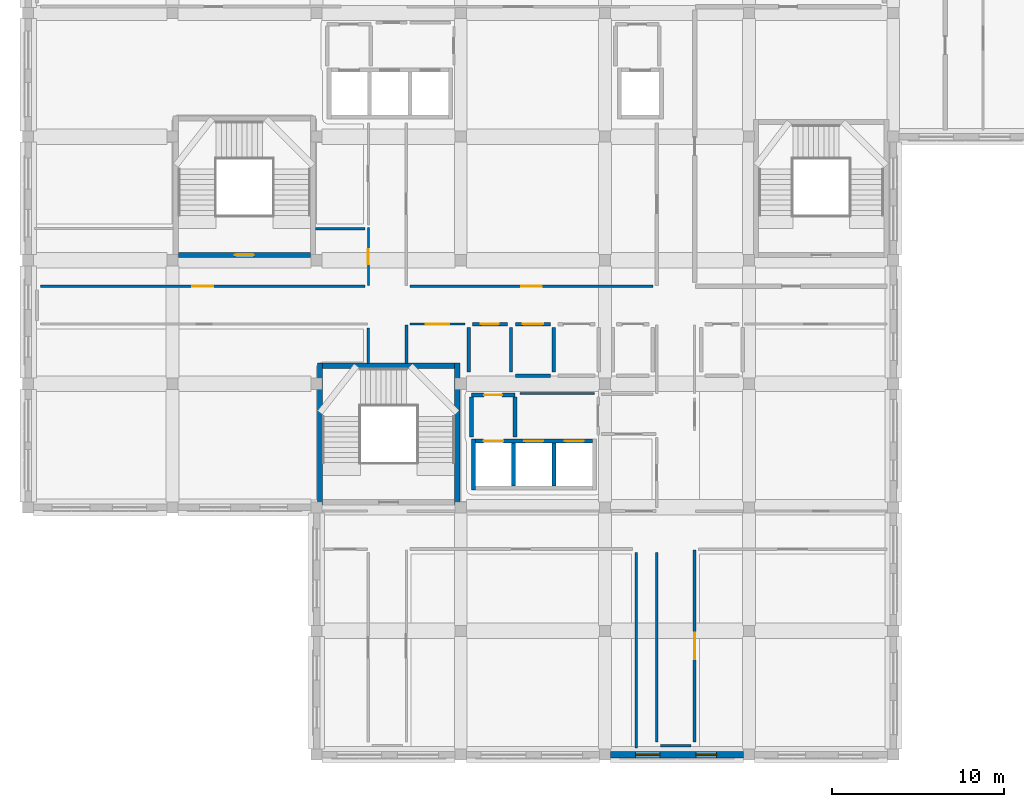
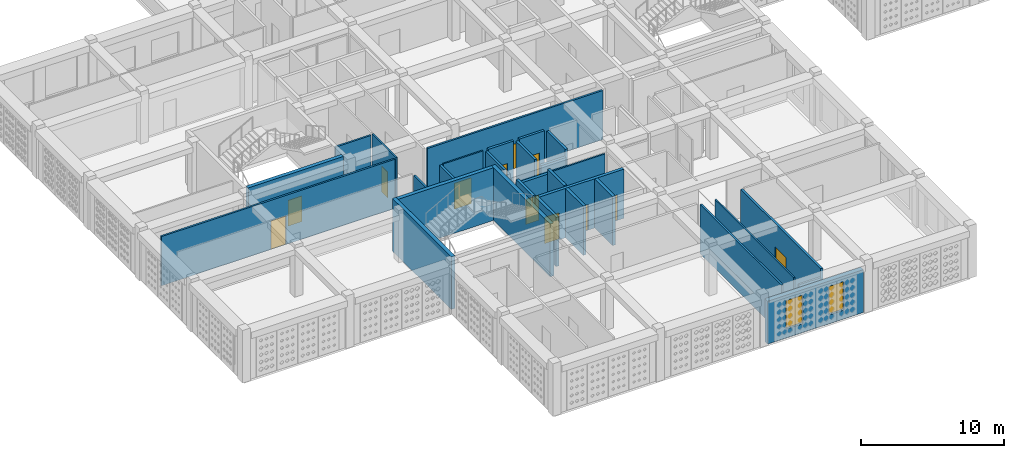
# One storey, part 5 of 47: 30 walls, 12 doors, 2 windows, 14 openings.
"""IFC4 building model written with IfcOpenShell, lengths in metres."""

from ifc_helpers import new_model, si_unit, derived_unit, direction, frame, frame_2d, origin, place, context, subcontext, project, spatial, rectangle, extrude, material, layer, layer_set, type_object, element, fill, save


model = new_model("IFC4")

# Units and contexts
model_context = context("Model", 3, precision=1e-05, world=origin(), true_north=direction((0.0, 1.0)))
body_context = subcontext(model_context, "Body", "Model", "MODEL_VIEW")
ifc_project = project(units=[si_unit("LENGTHUNIT", "METRE"), si_unit("AREAUNIT", "SQUARE_METRE"), si_unit("VOLUMEUNIT", "CUBIC_METRE"), si_unit("PLANEANGLEUNIT", "RADIAN"), si_unit("MASSUNIT", "GRAM", prefix="KILO"), derived_unit("THERMALTRANSMITTANCEUNIT", [(si_unit("POWERUNIT", "WATT"), 1), (si_unit("LENGTHUNIT", "METRE"), -2), (si_unit("THERMODYNAMICTEMPERATUREUNIT", "KELVIN"), -1)])], contexts=[model_context])

# Site, building, storey
site_placement = place(None, origin())
site = spatial("IfcSite", under=ifc_project, at=site_placement, CompositionType="ELEMENT")
building_placement = place(site_placement, origin())
building = spatial("IfcBuilding", under=site, at=building_placement, Name="Veybourne Emporium", CompositionType="ELEMENT")
storey_placement = place(building_placement, frame((0.0, 0.0, 23.39990234375)))
storey = spatial("IfcBuildingStorey", under=building, at=storey_placement, Name="L05", CompositionType="ELEMENT", Elevation=23.39990234375)

# Wall, openings, windows
ifc_material_1 = material(Name="Portland Limestone Ashlar", Category="masonry")
ifc_layer_1 = layer(ifc_material_1, 0.3798828125)
ifc_layer_set_1 = layer_set([ifc_layer_1], Name="Portland Limestone Ashlar")
wall_type_1 = type_object("IfcWallType", Name="ExtWall_EW-03", PredefinedType="SOLIDWALL", material=ifc_layer_set_1)
wall_1_placement = place(storey_placement, frame((41.675048828125, 0.0, 0.0), z_axis=(0.0, 0.0, 1.0), x_axis=(-1.0, 0.0, 0.0)))
wall_1 = element("IfcWall", 1, at=wall_1_placement, inside=storey, type_object=wall_type_1, Name="L05 Portland stone external wall 020", PredefinedType="SOLIDWALL", context=body_context, shape_type="SweptSolid", body=[
    extrude(rectangle(XDim=7.75, YDim=0.3798828125, at=frame_2d((3.875, 0.0))), origin(), (0.0, 0.0, 1.0), 3.66015625),
])
opening_1_placement = place(wall_1_placement, frame((1.570068359375, 0.0, 0.75)))
opening_1 = element("IfcOpeningElement", 2, at=opening_1_placement, cuts=wall_1, Name="Opening W-25", PredefinedType="OPENING", context=body_context, shape_type="SweptSolid", body=[
    extrude(rectangle(XDim=1.199951171875, YDim=2.43994140625, at=frame_2d((0.60009765625, 1.219970703125))), frame((0.0, 0.2099609375, 0.0), z_axis=(0.0, -1.0, 0.0), x_axis=(1.0, 0.0, 0.0)), (0.0, 0.0, 1.0), 0.419921875),
])
opening_2_placement = place(wall_1_placement, frame((4.8798828125, 0.0, 0.75)))
opening_2 = element("IfcOpeningElement", 3, at=opening_2_placement, cuts=wall_1, Name="Opening W-26", PredefinedType="OPENING", context=body_context, shape_type="SweptSolid", body=[
    extrude(rectangle(XDim=1.39990234375, YDim=2.43994140625, at=frame_2d((0.699951171875, 1.219970703125))), frame((0.0, 0.2099609375, 0.0), z_axis=(0.0, -1.0, 0.0), x_axis=(1.0, 0.0, 0.0)), (0.0, 0.0, 1.0), 0.419921875),
])
ifc_material_2 = material(Name="Low-E Triple Glazing", Category="glass")
window_type_1 = type_object("IfcWindowType", Name="Win_W-25", PartitioningType="SINGLE_PANEL", PredefinedType="WINDOW", material=ifc_material_2)
window_1_placement = place(opening_1_placement, origin())
window_1 = element("IfcWindow", 4, at=window_1_placement, inside=storey, type_object=window_type_1, Name="L05 tripartite bronze casement window W-25 (20.1)", OverallHeight=2.43994140625, OverallWidth=1.199951171875, PartitioningType="SINGLE_PANEL", PredefinedType="WINDOW", context=body_context, shape_type="SweptSolid", body=[
    extrude(rectangle(XDim=1.199951171875, YDim=2.43994140625, at=frame_2d((0.60009765625, 1.219970703125))), frame((0.0, 0.030029296875, 0.0), z_axis=(0.0, -1.0, 0.0), x_axis=(1.0, 0.0, 0.0)), (0.0, 0.0, 1.0), 0.06005859375),
])
fill(opening_1, window_1)
window_type_2 = type_object("IfcWindowType", Name="Win_W-26", PartitioningType="DOUBLE_PANEL_VERTICAL", PredefinedType="WINDOW", material=ifc_material_2)
window_2_placement = place(opening_2_placement, origin())
window_2 = element("IfcWindow", 5, at=window_2_placement, inside=storey, type_object=window_type_2, Name="L05 tripartite bronze casement window W-26 (20.2)", OverallHeight=2.43994140625, OverallWidth=1.39990234375, PartitioningType="DOUBLE_PANEL_VERTICAL", PredefinedType="WINDOW", context=body_context, shape_type="SweptSolid", body=[
    extrude(rectangle(XDim=1.39990234375, YDim=2.43994140625, at=frame_2d((0.699951171875, 1.219970703125))), frame((0.0, 0.030029296875, 0.0), z_axis=(0.0, -1.0, 0.0), x_axis=(1.0, 0.0, 0.0)), (0.0, 0.0, 1.0), 0.06005859375),
])
fill(opening_2, window_2)

# Walls
ifc_material_3 = material(Name="Concrete C40/50", Category="concrete")
ifc_layer_2 = layer(ifc_material_3, 0.300048828125)
ifc_layer_set_2 = layer_set([ifc_layer_2], Name="Concrete C40/50")
wall_type_2 = type_object("IfcWallType", Name="IntWall_CW-03", PredefinedType="SHEAR", material=ifc_layer_set_2)
wall_2_placement = place(storey_placement, frame((17.14990234375, 22.64990234375, 0.0), z_axis=(0.0, 0.0, 1.0), x_axis=(1.0, 0.0, 0.0)))
element("IfcWall", 6, at=wall_2_placement, inside=storey, type_object=wall_type_2, Name="Core stair ST-01 north shear wall (L05)", PredefinedType="SHEAR", context=body_context, shape_type="SweptSolid", body=[
    extrude(rectangle(XDim=7.7001953125, YDim=0.300048828125, at=frame_2d((3.85009765625, 0.0))), origin(), (0.0, 0.0, 1.0), 4.5),
])
for number, where, z_axis, x_axis, name in (
    (7, (17.0, 22.800048828125, 0.0), (0.0, 0.0, 1.0), (0.0, -1.0, 0.0), "Core stair ST-01 west shear wall (L05)"),
    (8, (25.0, 14.550048828125, 0.0), (0.0, 0.0, 1.0), (0.0, 1.0, 0.0), "Core stair ST-01 east shear wall (L05)"),
):
    element("IfcWall", number, at=place(storey_placement, frame(where, z_axis=z_axis, x_axis=x_axis)), inside=storey, type_object=wall_type_2, Name=name, PredefinedType="SHEAR", context=body_context, shape_type="SweptSolid", body=[
        extrude(rectangle(XDim=8.25, YDim=0.300048828125, at=frame_2d((4.125, 0.0))), origin(), (0.0, 0.0, 1.0), 4.5),
    ])

# Wall, opening, door
wall_3_placement = place(storey_placement, frame((16.449951171875, 29.10009765625, 0.0), z_axis=(0.0, 0.0, 1.0), x_axis=(-1.0, 0.0, 0.0)))
wall_3 = element("IfcWall", 9, at=wall_3_placement, inside=storey, type_object=wall_type_2, Name="Core stair ST-02 south shear wall (L05)", PredefinedType="SHEAR", context=body_context, shape_type="SweptSolid", body=[
    extrude(rectangle(XDim=7.699951171875, YDim=0.300048828125, at=frame_2d((3.85009765625, 0.0))), origin(), (0.0, 0.0, 1.0), 4.5),
])
opening_3_placement = place(wall_3_placement, frame((3.300048828125, 0.0, 0.0)))
opening_3 = element("IfcOpeningElement", 10, at=opening_3_placement, cuts=wall_3, Name="Opening FD-01", PredefinedType="OPENING", context=body_context, shape_type="SweptSolid", body=[
    extrude(rectangle(XDim=1.10009765625, YDim=2.199951171875, at=frame_2d((0.550048828125, 1.10009765625))), frame((0.0, 0.169921875, 0.0), z_axis=(0.0, -1.0, 0.0), x_axis=(1.0, 0.0, 0.0)), (0.0, 0.0, 1.0), 0.340087890625),
])
ifc_material_4 = material(Name="Patinated Architectural Bronze", Category="bronze")
door_type_1 = type_object("IfcDoorType", Name="FireDoor_FD-01", OperationType="NOTDEFINED", PredefinedType="DOOR", material=ifc_material_4)
door_1_placement = place(opening_3_placement, origin())
door_1 = element("IfcDoor", 11, at=door_1_placement, inside=storey, type_object=door_type_1, Name="Stair ST-02 fire door (L05)", OperationType="SINGLE_SWING_LEFT", OverallHeight=2.199951171875, OverallWidth=1.10009765625, PredefinedType="DOOR", context=body_context, shape_type="SweptSolid", body=[
    extrude(rectangle(XDim=1.10009765625, YDim=2.199951171875, at=frame_2d((0.550048828125, 1.10009765625))), frame((0.0, 0.02490234375, 0.0), z_axis=(0.0, -1.0, 0.0), x_axis=(1.0, 0.0, 0.0)), (0.0, 0.0, 1.0), 0.050048828125),
])
fill(opening_3, door_1)

# Wall, openings, doors
ifc_layer_3 = layer(ifc_material_3, 0.239990234375)
ifc_layer_set_3 = layer_set([ifc_layer_3], Name="Concrete C40/50")
wall_type_3 = type_object("IfcWallType", Name="IntWall_CW-04", PredefinedType="SHEAR", material=ifc_layer_set_3)
wall_4_placement = place(storey_placement, frame((32.8798828125, 18.27001953125, 0.0), z_axis=(0.0, 0.0, 1.0), x_axis=(-1.0, 0.0, 0.0)))
wall_4 = element("IfcWall", 12, at=wall_4_placement, inside=storey, type_object=wall_type_3, Name="Lift core C1 north shaft wall (L05)", PredefinedType="SHEAR", context=body_context, shape_type="SweptSolid", body=[
    extrude(rectangle(XDim=6.81982421875, YDim=0.239990234375, at=frame_2d((3.409912109375, 0.0))), origin(), (0.0, 0.0, 1.0), 4.210205078125),
])
opening_4_placement = place(wall_4_placement, frame((5.195068359375, 0.0, 0.0)))
opening_4 = element("IfcOpeningElement", 13, at=opening_4_placement, cuts=wall_4, Name="Opening LD-02", PredefinedType="OPENING", context=body_context, shape_type="SweptSolid", body=[
    extrude(rectangle(XDim=1.14990234375, YDim=2.25, at=frame_2d((0.574951171875, 1.125))), frame((0.0, 0.14013671875, 0.0), z_axis=(0.0, -1.0, 0.0), x_axis=(1.0, 0.0, 0.0)), (0.0, 0.0, 1.0), 0.280029296875),
])
opening_5_placement = place(wall_4_placement, frame((2.8701171875, 0.0, 0.0)))
opening_5 = element("IfcOpeningElement", 14, at=opening_5_placement, cuts=wall_4, Name="Opening LD-01", PredefinedType="OPENING", context=body_context, shape_type="SweptSolid", body=[
    extrude(rectangle(XDim=1.10009765625, YDim=2.199951171875, at=frame_2d((0.550048828125, 1.10009765625))), frame((0.0, 0.14013671875, 0.0), z_axis=(0.0, -1.0, 0.0), x_axis=(1.0, 0.0, 0.0)), (0.0, 0.0, 1.0), 0.280029296875),
])
opening_6_placement = place(wall_4_placement, frame((0.510009765625, 0.0, 0.0)))
opening_6 = element("IfcOpeningElement", 15, at=opening_6_placement, cuts=wall_4, Name="Opening LD-01", PredefinedType="OPENING", context=body_context, shape_type="SweptSolid", body=[
    extrude(rectangle(XDim=1.10009765625, YDim=2.199951171875, at=frame_2d((0.550048828125, 1.10009765625))), frame((0.0, 0.14013671875, 0.0), z_axis=(0.0, -1.0, 0.0), x_axis=(1.0, 0.0, 0.0)), (0.0, 0.0, 1.0), 0.280029296875),
])
door_type_2 = type_object("IfcDoorType", Name="FireDoor_LD-01", OperationType="DOUBLE_DOOR_SLIDING", PredefinedType="DOOR", material=ifc_material_4)
door_2_placement = place(opening_5_placement, origin())
door_2 = element("IfcDoor", 16, at=door_2_placement, inside=storey, type_object=door_type_2, Name="Lift PL-01 sliding landing door (L05)", OperationType="DOUBLE_DOOR_SLIDING", OverallHeight=2.199951171875, OverallWidth=1.10009765625, PredefinedType="DOOR", context=body_context, shape_type="SweptSolid", body=[
    extrude(rectangle(XDim=1.10009765625, YDim=2.199951171875, at=frame_2d((0.550048828125, 1.10009765625))), frame((0.0, 0.02490234375, 0.0), z_axis=(0.0, -1.0, 0.0), x_axis=(1.0, 0.0, 0.0)), (0.0, 0.0, 1.0), 0.050048828125),
])
fill(opening_5, door_2)
door_3_placement = place(opening_6_placement, origin())
door_3 = element("IfcDoor", 17, at=door_3_placement, inside=storey, type_object=door_type_2, Name="Lift PL-02 sliding landing door (L05)", OperationType="DOUBLE_DOOR_SLIDING", OverallHeight=2.199951171875, OverallWidth=1.10009765625, PredefinedType="DOOR", context=body_context, shape_type="SweptSolid", body=[
    extrude(rectangle(XDim=1.10009765625, YDim=2.199951171875, at=frame_2d((0.550048828125, 1.10009765625))), frame((0.0, 0.02490234375, 0.0), z_axis=(0.0, -1.0, 0.0), x_axis=(1.0, 0.0, 0.0)), (0.0, 0.0, 1.0), 0.050048828125),
])
fill(opening_6, door_3)
door_type_3 = type_object("IfcDoorType", Name="FireDoor_LD-02", OperationType="SLIDING_TO_LEFT", PredefinedType="DOOR", material=ifc_material_4)
door_4_placement = place(opening_4_placement, origin())
door_4 = element("IfcDoor", 18, at=door_4_placement, inside=storey, type_object=door_type_3, Name="Lift FFL-01 sliding landing door (L05)", OperationType="SLIDING_TO_LEFT", OverallHeight=2.25, OverallWidth=1.14990234375, PredefinedType="DOOR", context=body_context, shape_type="SweptSolid", body=[
    extrude(rectangle(XDim=1.14990234375, YDim=2.25, at=frame_2d((0.574951171875, 1.125))), frame((0.0, 0.02490234375, 0.0), z_axis=(0.0, -1.0, 0.0), x_axis=(1.0, 0.0, 0.0)), (0.0, 0.0, 1.0), 0.050048828125),
])
fill(opening_4, door_4)

# Walls
wall_5_placement = place(storey_placement, frame((25.93994140625, 18.389892578125, 0.0), z_axis=(0.0, 0.0, 1.0), x_axis=(0.0, -1.0, 0.0)))
element("IfcWall", 19, at=wall_5_placement, inside=storey, type_object=wall_type_3, Name="Lift core C1 west shaft wall (L05)", PredefinedType="SHEAR", context=body_context, shape_type="SweptSolid", body=[
    extrude(rectangle(XDim=2.97998046875, YDim=0.239990234375, at=frame_2d((1.489990234375, 0.0))), origin(), (0.0, 0.0, 1.0), 4.210205078125),
])
for number, where, z_axis, x_axis, name in (
    (20, (28.280029296875, 15.64990234375, 0.0), (0.0, 0.0, 1.0), (0.0, 1.0, 0.0), "Lift core C1 divider wall 1 (L05)"),
    (21, (30.639892578125, 15.64990234375, 0.0), (0.0, 0.0, 1.0), (0.0, 1.0, 0.0), "Lift core C1 divider wall 2 (L05)"),
):
    element("IfcWall", number, at=place(storey_placement, frame(where, z_axis=z_axis, x_axis=x_axis)), inside=storey, type_object=wall_type_3, Name=name, PredefinedType="SHEAR", context=body_context, shape_type="SweptSolid", body=[
        extrude(rectangle(XDim=2.5, YDim=0.239990234375, at=frame_2d((1.25, 0.0))), origin(), (0.0, 0.0, 1.0), 4.210205078125),
    ])

# Wall, opening, door
ifc_material_5 = material(Name="Concrete C32/40", Category="concrete")
ifc_layer_4 = layer(ifc_material_5, 0.219970703125)
ifc_layer_set_4 = layer_set([ifc_layer_4], Name="Concrete C32/40")
wall_type_4 = type_object("IfcWallType", Name="IntWall_FW-02", PredefinedType="SOLIDWALL", material=ifc_layer_set_4)
wall_6_placement = place(storey_placement, frame((25.820068359375, 20.949951171875, 0.0), z_axis=(0.0, 0.0, 1.0), x_axis=(1.0, 0.0, 0.0)))
wall_6 = element("IfcWall", 22, at=wall_6_placement, inside=storey, type_object=wall_type_4, Name="Firefighting lobby C1 fire wall N (L05)", PredefinedType="SOLIDWALL", context=body_context, shape_type="SweptSolid", body=[
    extrude(rectangle(XDim=2.5400390625, YDim=0.219970703125, at=frame_2d((1.27001953125, 0.0))), origin(), (0.0, 0.0, 1.0), 3.760009765625),
])
opening_7_placement = place(wall_6_placement, frame((0.7451171875, 0.0, 0.0)))
opening_7 = element("IfcOpeningElement", 23, at=opening_7_placement, cuts=wall_6, Name="Opening FD-02", PredefinedType="OPENING", context=body_context, shape_type="SweptSolid", body=[
    extrude(rectangle(XDim=1.050048828125, YDim=2.14990234375, at=frame_2d((0.52490234375, 1.074951171875))), frame((0.0, 0.1298828125, 0.0), z_axis=(0.0, -1.0, 0.0), x_axis=(1.0, 0.0, 0.0)), (0.0, 0.0, 1.0), 0.260009765625),
])
door_type_4 = type_object("IfcDoorType", Name="FireDoor_FD-02", OperationType="NOTDEFINED", PredefinedType="DOOR", material=ifc_material_4)
door_5_placement = place(opening_7_placement, origin())
door_5 = element("IfcDoor", 24, at=door_5_placement, inside=storey, type_object=door_type_4, Name="Firefighting lobby C1 FD60S door N (L05)", OperationType="SINGLE_SWING_RIGHT", OverallHeight=2.14990234375, OverallWidth=1.050048828125, PredefinedType="DOOR", context=body_context, shape_type="SweptSolid", body=[
    extrude(rectangle(XDim=1.050048828125, YDim=2.14990234375, at=frame_2d((0.52490234375, 1.074951171875))), frame((0.0, 0.02490234375, 0.0), z_axis=(0.0, -1.0, 0.0), x_axis=(1.0, 0.0, 0.0)), (0.0, 0.0, 1.0), 0.050048828125),
])
fill(opening_7, door_5)

# Walls
for number, where, z_axis, x_axis, name in (
    (25, (25.820068359375, 18.510009765625, 0.0), (0.0, 0.0, 1.0), (0.0, 1.0, 0.0), "Firefighting lobby C1 fire wall W (L05)"),
    (26, (28.360107421875, 18.510009765625, 0.0), (0.0, 0.0, 1.0), (0.0, 1.0, 0.0), "Firefighting lobby C1 fire wall E (L05)"),
):
    element("IfcWall", number, at=place(storey_placement, frame(where, z_axis=z_axis, x_axis=x_axis)), inside=storey, type_object=wall_type_4, Name=name, PredefinedType="SOLIDWALL", context=body_context, shape_type="SweptSolid", body=[
        extrude(rectangle(XDim=2.320068359375, YDim=0.219970703125, at=frame_2d((1.16015625, 0.0))), origin(), (0.0, 0.0, 1.0), 4.210205078125),
    ])

# Wall, opening, door
ifc_material_6 = material(Name="Gypsum Acoustic Board", Category="gypsum")
ifc_layer_5 = layer(ifc_material_6, 0.179931640625)
ifc_layer_set_5 = layer_set([ifc_layer_5], Name="Gypsum Acoustic Board")
wall_type_5 = type_object("IfcWallType", Name="IntWall_IW-01", PredefinedType="PARTITIONING", material=ifc_layer_set_5)
wall_7_placement = place(storey_placement, frame((38.830078125, 0.72998046875, 0.0), z_axis=(0.0, 0.0, 1.0), x_axis=(0.0, 1.0, 0.0)))
wall_7 = element("IfcWall", 27, at=wall_7_placement, inside=storey, type_object=wall_type_5, Name="L05 interior partition IW-01 #027", PredefinedType="PARTITIONING", context=body_context, shape_type="SweptSolid", body=[
    extrude(rectangle(XDim=11.18994140625, YDim=0.179931640625, at=frame_2d((5.594970703125, 0.0))), origin(), (0.0, 0.0, 1.0), 4.210205078125),
])
opening_8_placement = place(wall_7_placement, frame((4.8349609375, 0.0, 0.0)))
opening_8 = element("IfcOpeningElement", 28, at=opening_8_placement, cuts=wall_7, Name="Opening D-17", PredefinedType="OPENING", context=body_context, shape_type="SweptSolid", body=[
    extrude(rectangle(XDim=1.52001953125, YDim=2.2099609375, at=frame_2d((0.760009765625, 1.10498046875))), frame((0.0, 0.10986328125, 0.0), z_axis=(0.0, -1.0, 0.0), x_axis=(1.0, 0.0, 0.0)), (0.0, 0.0, 1.0), 0.219970703125),
])
ifc_material_7 = material(Name="European Oak Veneer and Bronze", Category="wood")
door_type_5 = type_object("IfcDoorType", Name="IntDoor_D-17", OperationType="NOTDEFINED", PredefinedType="DOOR", material=ifc_material_7)
door_6_placement = place(opening_8_placement, origin())
door_6 = element("IfcDoor", 29, at=door_6_placement, inside=storey, type_object=door_type_5, Name="L05 interior door D-17 (PART-L05-027)", OperationType="SINGLE_SWING_LEFT", OverallHeight=2.2099609375, OverallWidth=1.52001953125, PredefinedType="DOOR", context=body_context, shape_type="SweptSolid", body=[
    extrude(rectangle(XDim=1.52001953125, YDim=2.2099609375, at=frame_2d((0.760009765625, 1.10498046875))), frame((0.0, 0.02490234375, 0.0), z_axis=(0.0, -1.0, 0.0), x_axis=(1.0, 0.0, 0.0)), (0.0, 0.0, 1.0), 0.050048828125),
])
fill(opening_8, door_6)

# Wall
wall_8_placement = place(storey_placement, frame((22.030029296875, 22.7900390625, 0.0), z_axis=(0.0, 0.0, 1.0), x_axis=(0.0, 1.0, 0.0)))
element("IfcWall", 30, at=wall_8_placement, inside=storey, type_object=wall_type_5, Name="L05 interior partition IW-01 #072", PredefinedType="PARTITIONING", context=body_context, shape_type="SweptSolid", body=[
    extrude(rectangle(XDim=2.22998046875, YDim=0.179931640625, at=frame_2d((1.114990234375, 0.0))), origin(), (0.0, 0.0, 1.0), 4.210205078125),
])

# Wall, opening, door
ifc_layer_6 = layer(ifc_material_6, 0.14990234375)
ifc_layer_set_6 = layer_set([ifc_layer_6], Name="Gypsum Acoustic Board")
wall_type_6 = type_object("IfcWallType", Name="IntWall_IW-02", PredefinedType="PARTITIONING", material=ifc_layer_set_6)
wall_9_placement = place(storey_placement, frame((0.72998046875, 27.280029296875, 0.0), z_axis=(0.0, 0.0, 1.0), x_axis=(1.0, 0.0, 0.0)))
wall_9 = element("IfcWall", 31, at=wall_9_placement, inside=storey, type_object=wall_type_6, Name="L05 interior partition IW-02 #007", PredefinedType="PARTITIONING", context=body_context, shape_type="SweptSolid", body=[
    extrude(rectangle(XDim=18.880126953125, YDim=0.14990234375, at=frame_2d((9.43994140625, 0.0))), origin(), (0.0, 0.0, 1.0), 4.210205078125),
])
opening_9_placement = place(wall_9_placement, frame((8.840087890625, 0.0, 0.0)))
opening_9 = element("IfcOpeningElement", 32, at=opening_9_placement, cuts=wall_9, Name="Opening D-33", PredefinedType="OPENING", context=body_context, shape_type="SweptSolid", body=[
    extrude(rectangle(XDim=1.199951171875, YDim=2.449951171875, at=frame_2d((0.60009765625, 1.22509765625))), frame((0.0, 0.094970703125, 0.0), z_axis=(0.0, -1.0, 0.0), x_axis=(1.0, 0.0, 0.0)), (0.0, 0.0, 1.0), 0.18994140625),
])
door_type_6 = type_object("IfcDoorType", Name="IntDoor_D-33", OperationType="NOTDEFINED", PredefinedType="DOOR", material=ifc_material_7)
door_7_placement = place(opening_9_placement, origin())
door_7 = element("IfcDoor", 33, at=door_7_placement, inside=storey, type_object=door_type_6, Name="L05 interior door D-33 (PART-L05-007)", OperationType="SINGLE_SWING_RIGHT", OverallHeight=2.449951171875, OverallWidth=1.199951171875, PredefinedType="DOOR", context=body_context, shape_type="SweptSolid", body=[
    extrude(rectangle(XDim=1.199951171875, YDim=2.449951171875, at=frame_2d((0.60009765625, 1.22509765625))), frame((0.0, 0.02490234375, 0.0), z_axis=(0.0, -1.0, 0.0), x_axis=(1.0, 0.0, 0.0)), (0.0, 0.0, 1.0), 0.050048828125),
])
fill(opening_9, door_7)

wall_10_placement = place(storey_placement, frame((22.239990234375, 27.280029296875, 0.0), z_axis=(0.0, 0.0, 1.0), x_axis=(1.0, 0.0, 0.0)))
wall_10 = element("IfcWall", 34, at=wall_10_placement, inside=storey, type_object=wall_type_6, Name="L05 interior partition IW-02 #019", PredefinedType="PARTITIONING", context=body_context, shape_type="SweptSolid", body=[
    extrude(rectangle(XDim=14.169921875, YDim=0.14990234375, at=frame_2d((7.0849609375, 0.0))), origin(), (0.0, 0.0, 1.0), 4.210205078125),
])
opening_10_placement = place(wall_10_placement, frame((6.485107421875, 0.0, 0.0)))
opening_10 = element("IfcOpeningElement", 35, at=opening_10_placement, cuts=wall_10, Name="Opening D-09", PredefinedType="OPENING", context=body_context, shape_type="SweptSolid", body=[
    extrude(rectangle(XDim=1.199951171875, YDim=2.1298828125, at=frame_2d((0.60009765625, 1.06494140625))), frame((0.0, 0.094970703125, 0.0), z_axis=(0.0, -1.0, 0.0), x_axis=(1.0, 0.0, 0.0)), (0.0, 0.0, 1.0), 0.18994140625),
])
door_type_7 = type_object("IfcDoorType", Name="IntDoor_D-09", OperationType="NOTDEFINED", PredefinedType="DOOR", material=ifc_material_7)
door_8_placement = place(opening_10_placement, origin())
door_8 = element("IfcDoor", 36, at=door_8_placement, inside=storey, type_object=door_type_7, Name="L05 interior door D-09 (PART-L05-019)", OperationType="SINGLE_SWING_RIGHT", OverallHeight=2.1298828125, OverallWidth=1.199951171875, PredefinedType="DOOR", context=body_context, shape_type="SweptSolid", body=[
    extrude(rectangle(XDim=1.199951171875, YDim=2.1298828125, at=frame_2d((0.60009765625, 1.06494140625))), frame((0.0, 0.02490234375, 0.0), z_axis=(0.0, -1.0, 0.0), x_axis=(1.0, 0.0, 0.0)), (0.0, 0.0, 1.0), 0.050048828125),
])
fill(opening_10, door_8)

# Walls
wall_11_placement = place(storey_placement, frame((19.820068359375, 22.7900390625, 0.0), z_axis=(0.0, 0.0, 1.0), x_axis=(0.0, 1.0, 0.0)))
element("IfcWall", 37, at=wall_11_placement, inside=storey, type_object=wall_type_6, Name="L05 interior partition IW-02 #076", PredefinedType="PARTITIONING", context=body_context, shape_type="SweptSolid", body=[
    extrude(rectangle(XDim=2.070068359375, YDim=0.14990234375, at=frame_2d((1.03515625, 0.0))), origin(), (0.0, 0.0, 1.0), 4.210205078125),
])
wall_12_placement = place(storey_placement, frame((36.830078125, 0.52001953125, 0.0), z_axis=(0.0, 0.0, 1.0), x_axis=(1.0, 0.0, 0.0)))
element("IfcWall", 38, at=wall_12_placement, inside=storey, type_object=wall_type_6, Name="L05 interior partition IW-02 #094", PredefinedType="PARTITIONING", context=body_context, shape_type="SweptSolid", body=[
    extrude(rectangle(XDim=1.7900390625, YDim=0.14990234375, at=frame_2d((0.89501953125, 0.0))), origin(), (0.0, 0.0, 1.0), 3.66015625),
])
wall_13_placement = place(storey_placement, frame((35.429931640625, 0.3701171875, 0.0), z_axis=(0.0, 0.0, 1.0), x_axis=(0.0, 1.0, 0.0)))
element("IfcWall", 39, at=wall_13_placement, inside=storey, type_object=wall_type_6, Name="L05 interior partition IW-02 #103", PredefinedType="PARTITIONING", context=body_context, shape_type="SweptSolid", body=[
    extrude(rectangle(XDim=11.389892578125, YDim=0.14990234375, at=frame_2d((5.69482421875, 0.0))), origin(), (0.0, 0.0, 1.0), 4.210205078125),
])
wall_14_placement = place(storey_placement, frame((16.739990234375, 30.639892578125, 0.0), z_axis=(0.0, 0.0, 1.0), x_axis=(1.0, 0.0, 0.0)))
element("IfcWall", 40, at=wall_14_placement, inside=storey, type_object=wall_type_6, Name="L05 interior partition IW-02 #109", PredefinedType="PARTITIONING", context=body_context, shape_type="SweptSolid", body=[
    extrude(rectangle(XDim=2.8701171875, YDim=0.14990234375, at=frame_2d((1.43505859375, 0.0))), origin(), (0.0, 0.0, 1.0), 4.210205078125),
])
ifc_layer_7 = layer(ifc_material_6, 0.1201171875)
ifc_layer_set_7 = layer_set([ifc_layer_7], Name="Gypsum Acoustic Board")
wall_type_7 = type_object("IfcWallType", Name="IntWall_IW-03", PredefinedType="PARTITIONING", material=ifc_layer_set_7)
wall_15_placement = place(storey_placement, frame((36.6201171875, 0.72998046875, 0.0), z_axis=(0.0, 0.0, 1.0), x_axis=(0.0, 1.0, 0.0)))
element("IfcWall", 41, at=wall_15_placement, inside=storey, type_object=wall_type_7, Name="L05 interior partition IW-03 #032", PredefinedType="PARTITIONING", context=body_context, shape_type="SweptSolid", body=[
    extrude(rectangle(XDim=11.030029296875, YDim=0.1201171875, at=frame_2d((5.51513671875, 0.0))), origin(), (0.0, 0.0, 1.0), 4.210205078125),
])
wall_16_placement = place(storey_placement, frame((28.64990234375, 21.030029296875, 0.0), z_axis=(0.0, 0.0, 1.0), x_axis=(1.0, 0.0, 0.0)))
element("IfcWall", 42, at=wall_16_placement, inside=storey, type_object=wall_type_7, Name="L05 interior partition IW-03 #050", PredefinedType="PARTITIONING", context=body_context, shape_type="SweptSolid", body=[
    extrude(rectangle(XDim=4.340087890625, YDim=0.1201171875, at=frame_2d((2.169921875, 0.0))), origin(), (0.0, 0.0, 1.0), 3.760009765625),
])

# Wall, opening, door
wall_17_placement = place(storey_placement, frame((19.820068359375, 27.330078125, 0.0), z_axis=(0.0, 0.0, 1.0), x_axis=(0.0, 1.0, 0.0)))
wall_17 = element("IfcWall", 43, at=wall_17_placement, inside=storey, type_object=wall_type_7, Name="L05 interior partition IW-03 #059", PredefinedType="PARTITIONING", context=body_context, shape_type="SweptSolid", body=[
    extrude(rectangle(XDim=3.35986328125, YDim=0.1201171875, at=frame_2d((1.679931640625, 0.0))), origin(), (0.0, 0.0, 1.0), 4.210205078125),
])
opening_11_placement = place(wall_17_placement, frame((1.239990234375, 0.0, 0.0)))
opening_11 = element("IfcOpeningElement", 44, at=opening_11_placement, cuts=wall_17, Name="Opening D-13", PredefinedType="OPENING", context=body_context, shape_type="SweptSolid", body=[
    extrude(rectangle(XDim=0.8798828125, YDim=2.2099609375, at=frame_2d((0.43994140625, 1.10498046875))), frame((0.0, 0.080078125, 0.0), z_axis=(0.0, -1.0, 0.0), x_axis=(1.0, 0.0, 0.0)), (0.0, 0.0, 1.0), 0.16015625),
])
door_type_8 = type_object("IfcDoorType", Name="IntDoor_D-13", OperationType="NOTDEFINED", PredefinedType="DOOR", material=ifc_material_7)
door_9_placement = place(opening_11_placement, origin())
door_9 = element("IfcDoor", 45, at=door_9_placement, inside=storey, type_object=door_type_8, Name="L05 interior door D-13 (PART-L05-059)", OperationType="SINGLE_SWING_LEFT", OverallHeight=2.2099609375, OverallWidth=0.8798828125, PredefinedType="DOOR", context=body_context, shape_type="SweptSolid", body=[
    extrude(rectangle(XDim=0.8798828125, YDim=2.2099609375, at=frame_2d((0.43994140625, 1.10498046875))), frame((0.0, 0.02490234375, 0.0), z_axis=(0.0, -1.0, 0.0), x_axis=(1.0, 0.0, 0.0)), (0.0, 0.0, 1.0), 0.050048828125),
])
fill(opening_11, door_9)

wall_18_placement = place(storey_placement, frame((22.239990234375, 25.070068359375, 0.0), z_axis=(0.0, 0.0, 1.0), x_axis=(1.0, 0.0, 0.0)))
wall_18 = element("IfcWall", 46, at=wall_18_placement, inside=storey, type_object=wall_type_7, Name="L05 interior partition IW-03 #062", PredefinedType="PARTITIONING", context=body_context, shape_type="SweptSolid", body=[
    extrude(rectangle(XDim=3.219970703125, YDim=0.1201171875, at=frame_2d((1.60986328125, 0.0))), origin(), (0.0, 0.0, 1.0), 4.210205078125),
])
opening_12_placement = place(wall_18_placement, frame((0.929931640625, 0.0, 0.0)))
opening_12 = element("IfcOpeningElement", 47, at=opening_12_placement, cuts=wall_18, Name="Opening D-16", PredefinedType="OPENING", context=body_context, shape_type="SweptSolid", body=[
    extrude(rectangle(XDim=1.360107421875, YDim=2.2099609375, at=frame_2d((0.68017578125, 1.10498046875))), frame((0.0, 0.080078125, 0.0), z_axis=(0.0, -1.0, 0.0), x_axis=(1.0, 0.0, 0.0)), (0.0, 0.0, 1.0), 0.16015625),
])
door_type_9 = type_object("IfcDoorType", Name="IntDoor_D-16", OperationType="NOTDEFINED", PredefinedType="DOOR", material=ifc_material_7)
door_10_placement = place(opening_12_placement, origin())
door_10 = element("IfcDoor", 48, at=door_10_placement, inside=storey, type_object=door_type_9, Name="L05 interior door D-16 (PART-L05-062)", OperationType="SINGLE_SWING_RIGHT", OverallHeight=2.2099609375, OverallWidth=1.360107421875, PredefinedType="DOOR", context=body_context, shape_type="SweptSolid", body=[
    extrude(rectangle(XDim=1.360107421875, YDim=2.2099609375, at=frame_2d((0.68017578125, 1.10498046875))), frame((0.0, 0.02490234375, 0.0), z_axis=(0.0, -1.0, 0.0), x_axis=(1.0, 0.0, 0.0)), (0.0, 0.0, 1.0), 0.050048828125),
])
fill(opening_12, door_10)

ifc_layer_8 = layer(ifc_material_6, 0.199951171875)
ifc_layer_set_8 = layer_set([ifc_layer_8], Name="Gypsum Acoustic Board")
wall_type_8 = type_object("IfcWallType", Name="IntWall_IW-04", PredefinedType="PLUMBINGWALL", material=ifc_layer_set_8)
wall_19_placement = place(storey_placement, frame((25.8798828125, 25.080078125, 0.0), z_axis=(0.0, 0.0, 1.0), x_axis=(1.0, 0.0, 0.0)))
wall_19 = element("IfcWall", 49, at=wall_19_placement, inside=storey, type_object=wall_type_8, Name="L05 interior partition IW-04 #078", PredefinedType="PLUMBINGWALL", context=body_context, shape_type="SweptSolid", body=[
    extrude(rectangle(XDim=2.0400390625, YDim=0.199951171875, at=frame_2d((1.02001953125, 0.0))), origin(), (0.0, 0.0, 1.0), 4.210205078125),
])
opening_13_placement = place(wall_19_placement, frame((0.5, 0.0, 0.0)))
opening_13 = element("IfcOpeningElement", 50, at=opening_13_placement, cuts=wall_19, Name="Opening D-32", PredefinedType="OPENING", context=body_context, shape_type="SweptSolid", body=[
    extrude(rectangle(XDim=1.0400390625, YDim=2.449951171875, at=frame_2d((0.52001953125, 1.22509765625))), frame((0.0, 0.1201171875, 0.0), z_axis=(0.0, -1.0, 0.0), x_axis=(1.0, 0.0, 0.0)), (0.0, 0.0, 1.0), 0.239990234375),
])
door_type_10 = type_object("IfcDoorType", Name="IntDoor_D-32", OperationType="NOTDEFINED", PredefinedType="DOOR", material=ifc_material_7)
door_11_placement = place(opening_13_placement, origin())
door_11 = element("IfcDoor", 51, at=door_11_placement, inside=storey, type_object=door_type_10, Name="L05 interior door D-32 (PART-L05-078)", OperationType="SINGLE_SWING_RIGHT", OverallHeight=2.449951171875, OverallWidth=1.0400390625, PredefinedType="DOOR", context=body_context, shape_type="SweptSolid", body=[
    extrude(rectangle(XDim=1.0400390625, YDim=2.449951171875, at=frame_2d((0.52001953125, 1.22509765625))), frame((0.0, 0.02490234375, 0.0), z_axis=(0.0, -1.0, 0.0), x_axis=(1.0, 0.0, 0.0)), (0.0, 0.0, 1.0), 0.050048828125),
])
fill(opening_13, door_11)

wall_20_placement = place(storey_placement, frame((28.3798828125, 25.080078125, 0.0), z_axis=(0.0, 0.0, 1.0), x_axis=(1.0, 0.0, 0.0)))
wall_20 = element("IfcWall", 52, at=wall_20_placement, inside=storey, type_object=wall_type_8, Name="L05 interior partition IW-04 #079", PredefinedType="PLUMBINGWALL", context=body_context, shape_type="SweptSolid", body=[
    extrude(rectangle(XDim=2.0400390625, YDim=0.199951171875, at=frame_2d((1.02001953125, 0.0))), origin(), (0.0, 0.0, 1.0), 4.210205078125),
])
opening_14_placement = place(wall_20_placement, frame((0.419921875, 0.0, 0.0)))
opening_14 = element("IfcOpeningElement", 53, at=opening_14_placement, cuts=wall_20, Name="Opening D-33", PredefinedType="OPENING", context=body_context, shape_type="SweptSolid", body=[
    extrude(rectangle(XDim=1.199951171875, YDim=2.449951171875, at=frame_2d((0.60009765625, 1.22509765625))), frame((0.0, 0.1201171875, 0.0), z_axis=(0.0, -1.0, 0.0), x_axis=(1.0, 0.0, 0.0)), (0.0, 0.0, 1.0), 0.239990234375),
])
door_12_placement = place(opening_14_placement, origin())
door_12 = element("IfcDoor", 54, at=door_12_placement, inside=storey, type_object=door_type_6, Name="L05 interior door D-33 (PART-L05-079)", OperationType="SINGLE_SWING_LEFT", OverallHeight=2.449951171875, OverallWidth=1.199951171875, PredefinedType="DOOR", context=body_context, shape_type="SweptSolid", body=[
    extrude(rectangle(XDim=1.199951171875, YDim=2.449951171875, at=frame_2d((0.60009765625, 1.22509765625))), frame((0.0, 0.02490234375, 0.0), z_axis=(0.0, -1.0, 0.0), x_axis=(1.0, 0.0, 0.0)), (0.0, 0.0, 1.0), 0.050048828125),
])
fill(opening_14, door_12)

# Walls
for number, where, z_axis, x_axis, name in (
    (55, (28.1298828125, 22.280029296875, 0.0), (0.0, 0.0, 1.0), (0.0, 1.0, 0.0), "L05 interior partition IW-04 #111"),
    (56, (25.669921875, 22.280029296875, 0.0), (0.0, 0.0, 1.0), (0.0, 1.0, 0.0), "L05 interior partition IW-04 #112"),
    (57, (30.6298828125, 22.280029296875, 0.0), (0.0, 0.0, 1.0), (0.0, 1.0, 0.0), "L05 interior partition IW-04 #113"),
):
    element("IfcWall", number, at=place(storey_placement, frame(where, z_axis=z_axis, x_axis=x_axis)), inside=storey, type_object=wall_type_8, Name=name, PredefinedType="PLUMBINGWALL", context=body_context, shape_type="SweptSolid", body=[
        extrude(rectangle(XDim=2.590087890625, YDim=0.199951171875, at=frame_2d((1.294921875, 0.0))), origin(), (0.0, 0.0, 1.0), 4.210205078125),
    ])
wall_21_placement = place(storey_placement, frame((28.3798828125, 22.070068359375, 0.0), z_axis=(0.0, 0.0, 1.0), x_axis=(1.0, 0.0, 0.0)))
element("IfcWall", 58, at=wall_21_placement, inside=storey, type_object=wall_type_8, Name="L05 interior partition IW-04 #120", PredefinedType="PLUMBINGWALL", context=body_context, shape_type="SweptSolid", body=[
    extrude(rectangle(XDim=2.0400390625, YDim=0.199951171875, at=frame_2d((1.02001953125, 0.0))), origin(), (0.0, 0.0, 1.0), 3.760009765625),
])

save(model, "model.ifc")
